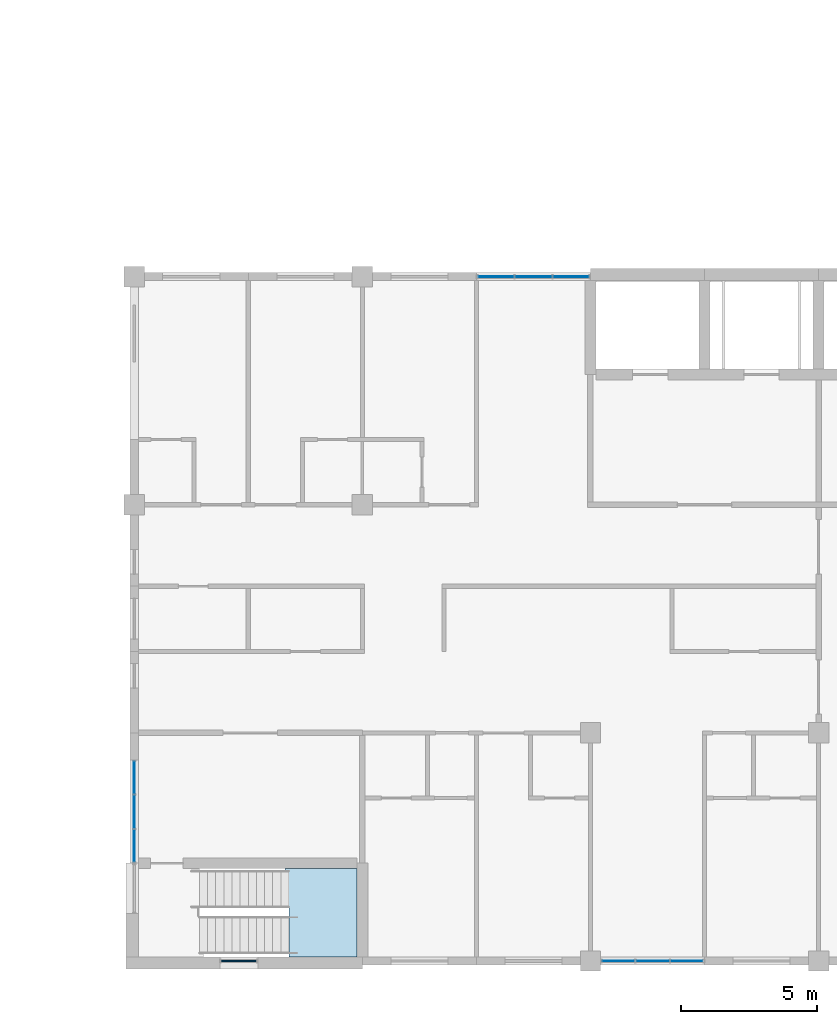
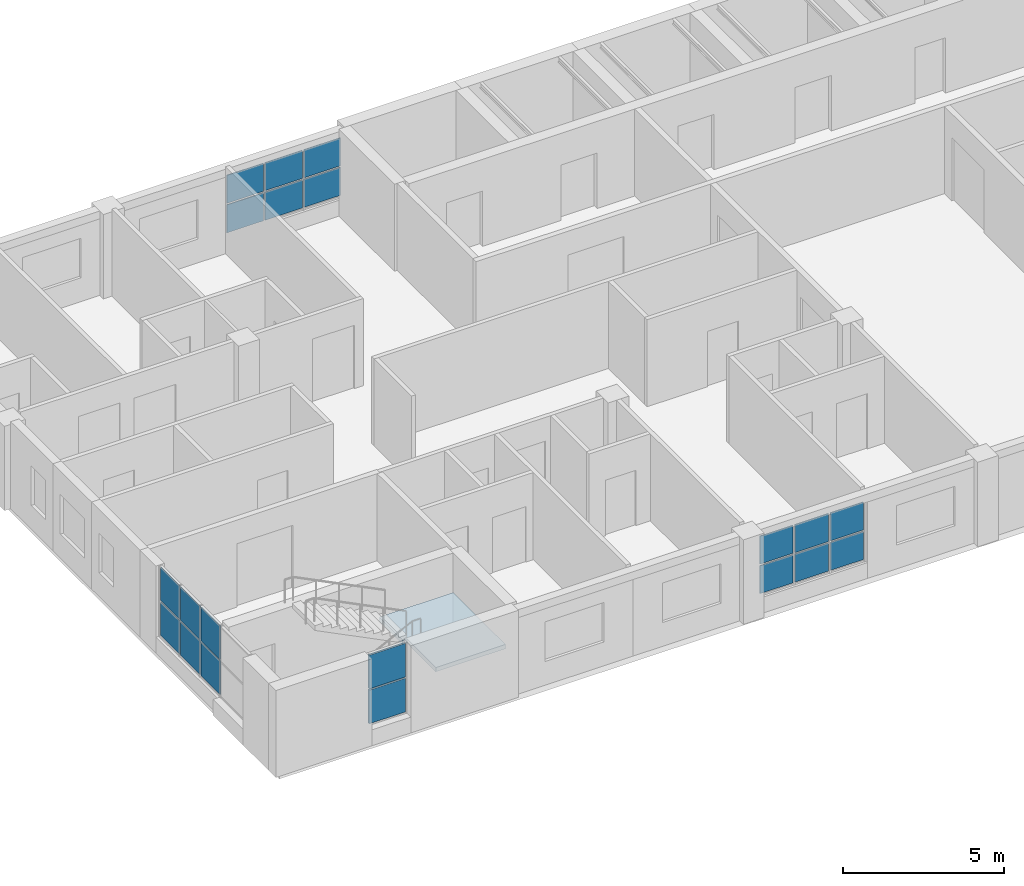
# One storey, part 23 of 48: 20 plates, 1 slab, 5 elements without a shape of their own.
"""IFC4 building model written with IfcOpenShell, lengths in metres."""

from ifc_helpers import new_model, si_unit, direction, frame, origin, origin_2d, place, context, subcontext, project, spatial, polyline, rectangle, outline, extrude, material, layer, layer_set, type_object, element, aggregate, save


model = new_model("IFC4")

# Units and contexts
model_context = context("Model", 3, precision=1e-05, world=origin(), true_north=direction((0.0, 1.0)))
body_context = subcontext(model_context, "Body", "Model", "MODEL_VIEW")
ifc_project = project(units=[si_unit("LENGTHUNIT", "METRE"), si_unit("AREAUNIT", "SQUARE_METRE"), si_unit("VOLUMEUNIT", "CUBIC_METRE"), si_unit("PLANEANGLEUNIT", "RADIAN"), si_unit("MASSUNIT", "GRAM", prefix="KILO")], contexts=[model_context])

# Site, building, storey
site_placement = place(None, origin())
site = spatial("IfcSite", under=ifc_project, at=site_placement, CompositionType="ELEMENT")
building_placement = place(site_placement, origin())
building = spatial("IfcBuilding", under=site, at=building_placement, Name="Yavir Park General Hospital", CompositionType="ELEMENT")
storey_placement = place(building_placement, frame((0.0, 0.0, 26.10009765625)))
storey = spatial("IfcBuildingStorey", under=building, at=storey_placement, Name="L06", CompositionType="ELEMENT", Elevation=26.10009765625)

# Curtain wall, plates
ifc_material_1 = material(Name="Aluminium curtain wall frame with insulated glazing", Category="aluminium")
curtain_wall_type_1 = type_object("IfcCurtainWallType", Name="Day room pocket glazing, ward floors, 2300 high, 1400 module", PredefinedType="NOTDEFINED", material=ifc_material_1)
curtain_wall_1_placement = place(storey_placement, origin())
curtain_wall_1 = element("IfcCurtainWall", 1, at=curtain_wall_1_placement, inside=storey, type_object=curtain_wall_type_1, Name="CW63 L06-005", PredefinedType="NOTDEFINED")
ifc_material_2 = material(Name="Insulated glazed unit 30 mm, low-e coating")
ifc_layer_1 = layer(ifc_material_2, 0.030029296875)
ifc_layer_set_1 = layer_set([ifc_layer_1], Name="Insulated glazed unit 30 mm, low-e coating")
plate_type_1 = type_object("IfcPlateType", Name="Day room pocket glazing, ward floors, 2300 high panel 30", PredefinedType="CURTAIN_PANEL", material=ifc_layer_set_1)
plate_1_placement = place(storey_placement, frame((118.62744140625, 0.0, 0.659912109375), z_axis=(0.0, 0.0, 1.0), x_axis=(1.0, 0.0, 0.0)))
plate_1 = element("IfcPlate", 2, at=plate_1_placement, type_object=plate_type_1, Name="CW63 panel 1.1", PredefinedType="CURTAIN_PANEL", context=body_context, shape_type="SweptSolid", body=[
    extrude(rectangle(XDim=1.18505859375, YDim=0.030029296875, at=origin_2d()), origin(), (0.0, 0.0, 1.0), 1.06005859375),
])
plate_2_placement = place(storey_placement, frame((118.62744140625, 0.0, 1.77978515625), z_axis=(0.0, 0.0, 1.0), x_axis=(1.0, 0.0, 0.0)))
plate_2 = element("IfcPlate", 3, at=plate_2_placement, type_object=plate_type_1, Name="CW63 panel 1.2", PredefinedType="CURTAIN_PANEL", context=body_context, shape_type="SweptSolid", body=[
    extrude(rectangle(XDim=1.18505859375, YDim=0.030029296875, at=origin_2d()), origin(), (0.0, 0.0, 1.0), 1.06005859375),
])
plate_3_placement = place(storey_placement, frame((119.887451171875, 0.0, 0.659912109375), z_axis=(0.0, 0.0, 1.0), x_axis=(1.0, 0.0, 0.0)))
plate_3 = element("IfcPlate", 4, at=plate_3_placement, type_object=plate_type_1, Name="CW63 panel 2.1", PredefinedType="CURTAIN_PANEL", context=body_context, shape_type="SweptSolid", body=[
    extrude(rectangle(XDim=1.215087890625, YDim=0.030029296875, at=origin_2d()), origin(), (0.0, 0.0, 1.0), 1.06005859375),
])
plate_4_placement = place(storey_placement, frame((119.887451171875, 0.0, 1.77978515625), z_axis=(0.0, 0.0, 1.0), x_axis=(1.0, 0.0, 0.0)))
plate_4 = element("IfcPlate", 5, at=plate_4_placement, type_object=plate_type_1, Name="CW63 panel 2.2", PredefinedType="CURTAIN_PANEL", context=body_context, shape_type="SweptSolid", body=[
    extrude(rectangle(XDim=1.215087890625, YDim=0.030029296875, at=origin_2d()), origin(), (0.0, 0.0, 1.0), 1.06005859375),
])
plate_5_placement = place(storey_placement, frame((121.1474609375, 0.0, 0.659912109375), z_axis=(0.0, 0.0, 1.0), x_axis=(1.0, 0.0, 0.0)))
plate_5 = element("IfcPlate", 6, at=plate_5_placement, type_object=plate_type_1, Name="CW63 panel 3.1", PredefinedType="CURTAIN_PANEL", context=body_context, shape_type="SweptSolid", body=[
    extrude(rectangle(XDim=1.18505859375, YDim=0.030029296875, at=origin_2d()), origin(), (0.0, 0.0, 1.0), 1.06005859375),
])
plate_6_placement = place(storey_placement, frame((121.1474609375, 0.0, 1.77978515625), z_axis=(0.0, 0.0, 1.0), x_axis=(1.0, 0.0, 0.0)))
plate_6 = element("IfcPlate", 7, at=plate_6_placement, type_object=plate_type_1, Name="CW63 panel 3.2", PredefinedType="CURTAIN_PANEL", context=body_context, shape_type="SweptSolid", body=[
    extrude(rectangle(XDim=1.18505859375, YDim=0.030029296875, at=origin_2d()), origin(), (0.0, 0.0, 1.0), 1.06005859375),
])
aggregate(curtain_wall_1, [plate_1, plate_2, plate_3, plate_4, plate_5, plate_6])

curtain_wall_2_placement = place(storey_placement, origin())
curtain_wall_2 = element("IfcCurtainWall", 8, at=curtain_wall_2_placement, inside=storey, type_object=curtain_wall_type_1, Name="CW63 L06-011", PredefinedType="NOTDEFINED")
plate_7_placement = place(storey_placement, frame((114.114990234375, 25.199951171875, 0.659912109375), z_axis=(0.0, 0.0, 1.0), x_axis=(1.0, 0.0, 0.0)))
plate_7 = element("IfcPlate", 9, at=plate_7_placement, type_object=plate_type_1, Name="CW63 panel 1.1", PredefinedType="CURTAIN_PANEL", context=body_context, shape_type="SweptSolid", body=[
    extrude(rectangle(XDim=1.31005859375, YDim=0.030029296875, at=origin_2d()), origin(), (0.0, 0.0, 1.0), 1.06005859375),
])
plate_8_placement = place(storey_placement, frame((114.114990234375, 25.199951171875, 1.77978515625), z_axis=(0.0, 0.0, 1.0), x_axis=(1.0, 0.0, 0.0)))
plate_8 = element("IfcPlate", 10, at=plate_8_placement, type_object=plate_type_1, Name="CW63 panel 1.2", PredefinedType="CURTAIN_PANEL", context=body_context, shape_type="SweptSolid", body=[
    extrude(rectangle(XDim=1.31005859375, YDim=0.030029296875, at=origin_2d()), origin(), (0.0, 0.0, 1.0), 1.06005859375),
])
plate_9_placement = place(storey_placement, frame((115.5, 25.199951171875, 0.659912109375), z_axis=(0.0, 0.0, 1.0), x_axis=(1.0, 0.0, 0.0)))
plate_9 = element("IfcPlate", 11, at=plate_9_placement, type_object=plate_type_1, Name="CW63 panel 2.1", PredefinedType="CURTAIN_PANEL", context=body_context, shape_type="SweptSolid", body=[
    extrude(rectangle(XDim=1.340087890625, YDim=0.030029296875, at=origin_2d()), origin(), (0.0, 0.0, 1.0), 1.06005859375),
])
plate_10_placement = place(storey_placement, frame((115.5, 25.199951171875, 1.77978515625), z_axis=(0.0, 0.0, 1.0), x_axis=(1.0, 0.0, 0.0)))
plate_10 = element("IfcPlate", 12, at=plate_10_placement, type_object=plate_type_1, Name="CW63 panel 2.2", PredefinedType="CURTAIN_PANEL", context=body_context, shape_type="SweptSolid", body=[
    extrude(rectangle(XDim=1.340087890625, YDim=0.030029296875, at=origin_2d()), origin(), (0.0, 0.0, 1.0), 1.06005859375),
])
plate_11_placement = place(storey_placement, frame((116.885009765625, 25.199951171875, 0.659912109375), z_axis=(0.0, 0.0, 1.0), x_axis=(1.0, 0.0, 0.0)))
plate_11 = element("IfcPlate", 13, at=plate_11_placement, type_object=plate_type_1, Name="CW63 panel 3.1", PredefinedType="CURTAIN_PANEL", context=body_context, shape_type="SweptSolid", body=[
    extrude(rectangle(XDim=1.31005859375, YDim=0.030029296875, at=origin_2d()), origin(), (0.0, 0.0, 1.0), 1.06005859375),
])
plate_12_placement = place(storey_placement, frame((116.885009765625, 25.199951171875, 1.77978515625), z_axis=(0.0, 0.0, 1.0), x_axis=(1.0, 0.0, 0.0)))
plate_12 = element("IfcPlate", 14, at=plate_12_placement, type_object=plate_type_1, Name="CW63 panel 3.2", PredefinedType="CURTAIN_PANEL", context=body_context, shape_type="SweptSolid", body=[
    extrude(rectangle(XDim=1.31005859375, YDim=0.030029296875, at=origin_2d()), origin(), (0.0, 0.0, 1.0), 1.06005859375),
])
aggregate(curtain_wall_2, [plate_7, plate_8, plate_9, plate_10, plate_11, plate_12])

# Stair, slab
ifc_material_3 = material(Name="Concrete C30/37", Category="concrete")
stair_type = type_object("IfcStairType", Name="Patient escape stair, 24 risers of 150 mm, 1400 mm flights", PredefinedType="HALF_TURN_STAIR", material=ifc_material_3)
stair_placement = place(storey_placement, origin())
stair = element("IfcStair", 15, at=stair_placement, inside=storey, type_object=stair_type, Name="Stair SU4, L06 to RF", PredefinedType="HALF_TURN_STAIR")
ifc_material_4 = material(Name="Concrete C30/37", Category="concrete")
ifc_layer_2 = layer(ifc_material_4, 0.159912109375)
ifc_layer_set_2 = layer_set([ifc_layer_2], Name="Concrete C30/37")
slab_type = type_object("IfcSlabType", Name="Patient escape stair half landing, reinforced concrete 160 mm", PredefinedType="LANDING", material=ifc_layer_set_2)
slab_placement = place(storey_placement, frame((0.0, 0.0, 1.639892578125)))
slab = element("IfcSlab", 16, at=slab_placement, type_object=slab_type, Name="SU4 landing 1", PredefinedType="LANDING", context=body_context, shape_type="SweptSolid", body=[
    extrude(outline(polyline([(106.49853515625, 0.14990234375), (109.0, 0.14990234375), (109.0, 3.39990234375), (106.35009765625, 3.39990234375), (106.35009765625, 1.949951171875), (106.49853515625, 1.949951171875), (106.49853515625, 0.14990234375)])), origin(), (0.0, 0.0, 1.0), 0.159912109375),
])
aggregate(stair, [slab])

# Curtain wall, plates
ifc_material_5 = material(Name="Aluminium curtain wall frame with insulated glazing", Category="aluminium")
curtain_wall_type_2 = type_object("IfcCurtainWallType", Name="Stair light slot, ward floors, 2700 high, 1400 module", PredefinedType="NOTDEFINED", material=ifc_material_5)
curtain_wall_3_placement = place(storey_placement, origin())
curtain_wall_3 = element("IfcCurtainWall", 17, at=curtain_wall_3_placement, inside=storey, type_object=curtain_wall_type_2, Name="CW64 L06-004", PredefinedType="NOTDEFINED")
ifc_material_6 = material(Name="Fire-resisting glazed unit 70 mm")
ifc_layer_3 = layer(ifc_material_6, 0.070068359375)
ifc_layer_set_3 = layer_set([ifc_layer_3], Name="Fire-resisting glazed unit 70 mm")
plate_type_2 = type_object("IfcPlateType", Name="Stair light slot, ward floors, 2700 high panel 70", PredefinedType="CURTAIN_PANEL", material=ifc_layer_set_3)
plate_13_placement = place(storey_placement, frame((104.64990234375, 0.0, 0.64990234375), z_axis=(0.0, 0.0, 1.0), x_axis=(1.0, 0.0, 0.0)))
plate_13 = element("IfcPlate", 18, at=plate_13_placement, type_object=plate_type_2, Name="CW64 panel 1.1", PredefinedType="CURTAIN_PANEL", context=body_context, shape_type="SweptSolid", body=[
    extrude(rectangle(XDim=1.300048828125, YDim=0.070068359375, at=origin_2d()), origin(), (0.0, 0.0, 1.0), 1.27490234375),
])
plate_14_placement = place(storey_placement, frame((104.64990234375, 0.0, 1.974853515625), z_axis=(0.0, 0.0, 1.0), x_axis=(1.0, 0.0, 0.0)))
plate_14 = element("IfcPlate", 19, at=plate_14_placement, type_object=plate_type_2, Name="CW64 panel 1.2", PredefinedType="CURTAIN_PANEL", context=body_context, shape_type="SweptSolid", body=[
    extrude(rectangle(XDim=1.300048828125, YDim=0.070068359375, at=origin_2d()), origin(), (0.0, 0.0, 1.0), 1.27490234375),
])
aggregate(curtain_wall_3, [plate_13, plate_14])

ifc_material_7 = material(Name="Aluminium curtain wall frame with insulated glazing", Category="aluminium")
curtain_wall_type_3 = type_object("IfcCurtainWallType", Name="Ward corridor end glazing, 2700 high, 1400 module", PredefinedType="NOTDEFINED", material=ifc_material_7)
curtain_wall_4_placement = place(storey_placement, origin())
curtain_wall_4 = element("IfcCurtainWall", 20, at=curtain_wall_4_placement, inside=storey, type_object=curtain_wall_type_3, Name="CW66 L06-030", PredefinedType="NOTDEFINED")
ifc_material_8 = material(Name="Insulated glazed unit 30 mm, low-e coating")
ifc_layer_4 = layer(ifc_material_8, 0.030029296875)
ifc_layer_set_4 = layer_set([ifc_layer_4], Name="Insulated glazed unit 30 mm, low-e coating")
plate_type_3 = type_object("IfcPlateType", Name="Ward corridor end glazing, 2700 high panel 30", PredefinedType="CURTAIN_PANEL", material=ifc_layer_set_4)
plate_15_placement = place(storey_placement, frame((100.800048828125, 4.245849609375, 0.64990234375), z_axis=(0.0, 0.0, 1.0), x_axis=(0.0, 1.0, 0.0)))
plate_15 = element("IfcPlate", 21, at=plate_15_placement, type_object=plate_type_3, Name="CW66 panel 1.1", PredefinedType="CURTAIN_PANEL", context=body_context, shape_type="SweptSolid", body=[
    extrude(rectangle(XDim=1.191650390625, YDim=0.030029296875, at=origin_2d()), origin(), (0.0, 0.0, 1.0), 1.27490234375),
])
plate_16_placement = place(storey_placement, frame((100.800048828125, 4.245849609375, 1.974853515625), z_axis=(0.0, 0.0, 1.0), x_axis=(0.0, 1.0, 0.0)))
plate_16 = element("IfcPlate", 22, at=plate_16_placement, type_object=plate_type_3, Name="CW66 panel 1.2", PredefinedType="CURTAIN_PANEL", context=body_context, shape_type="SweptSolid", body=[
    extrude(rectangle(XDim=1.191650390625, YDim=0.030029296875, at=origin_2d()), origin(), (0.0, 0.0, 1.0), 1.27490234375),
])
plate_17_placement = place(storey_placement, frame((100.800048828125, 5.5, 0.64990234375), z_axis=(0.0, 0.0, 1.0), x_axis=(0.0, 1.0, 0.0)))
plate_17 = element("IfcPlate", 23, at=plate_17_placement, type_object=plate_type_3, Name="CW66 panel 2.1", PredefinedType="CURTAIN_PANEL", context=body_context, shape_type="SweptSolid", body=[
    extrude(rectangle(XDim=1.216552734375, YDim=0.030029296875, at=origin_2d()), origin(), (0.0, 0.0, 1.0), 1.27490234375),
])
plate_18_placement = place(storey_placement, frame((100.800048828125, 5.5, 1.974853515625), z_axis=(0.0, 0.0, 1.0), x_axis=(0.0, 1.0, 0.0)))
plate_18 = element("IfcPlate", 24, at=plate_18_placement, type_object=plate_type_3, Name="CW66 panel 2.2", PredefinedType="CURTAIN_PANEL", context=body_context, shape_type="SweptSolid", body=[
    extrude(rectangle(XDim=1.216552734375, YDim=0.030029296875, at=origin_2d()), origin(), (0.0, 0.0, 1.0), 1.27490234375),
])
plate_19_placement = place(storey_placement, frame((100.800048828125, 6.754150390625, 0.64990234375), z_axis=(0.0, 0.0, 1.0), x_axis=(0.0, 1.0, 0.0)))
plate_19 = element("IfcPlate", 25, at=plate_19_placement, type_object=plate_type_3, Name="CW66 panel 3.1", PredefinedType="CURTAIN_PANEL", context=body_context, shape_type="SweptSolid", body=[
    extrude(rectangle(XDim=1.191650390625, YDim=0.030029296875, at=origin_2d()), origin(), (0.0, 0.0, 1.0), 1.27490234375),
])
plate_20_placement = place(storey_placement, frame((100.800048828125, 6.754150390625, 1.974853515625), z_axis=(0.0, 0.0, 1.0), x_axis=(0.0, 1.0, 0.0)))
plate_20 = element("IfcPlate", 26, at=plate_20_placement, type_object=plate_type_3, Name="CW66 panel 3.2", PredefinedType="CURTAIN_PANEL", context=body_context, shape_type="SweptSolid", body=[
    extrude(rectangle(XDim=1.191650390625, YDim=0.030029296875, at=origin_2d()), origin(), (0.0, 0.0, 1.0), 1.27490234375),
])
aggregate(curtain_wall_4, [plate_15, plate_16, plate_17, plate_18, plate_19, plate_20])

save(model, "model.ifc")
